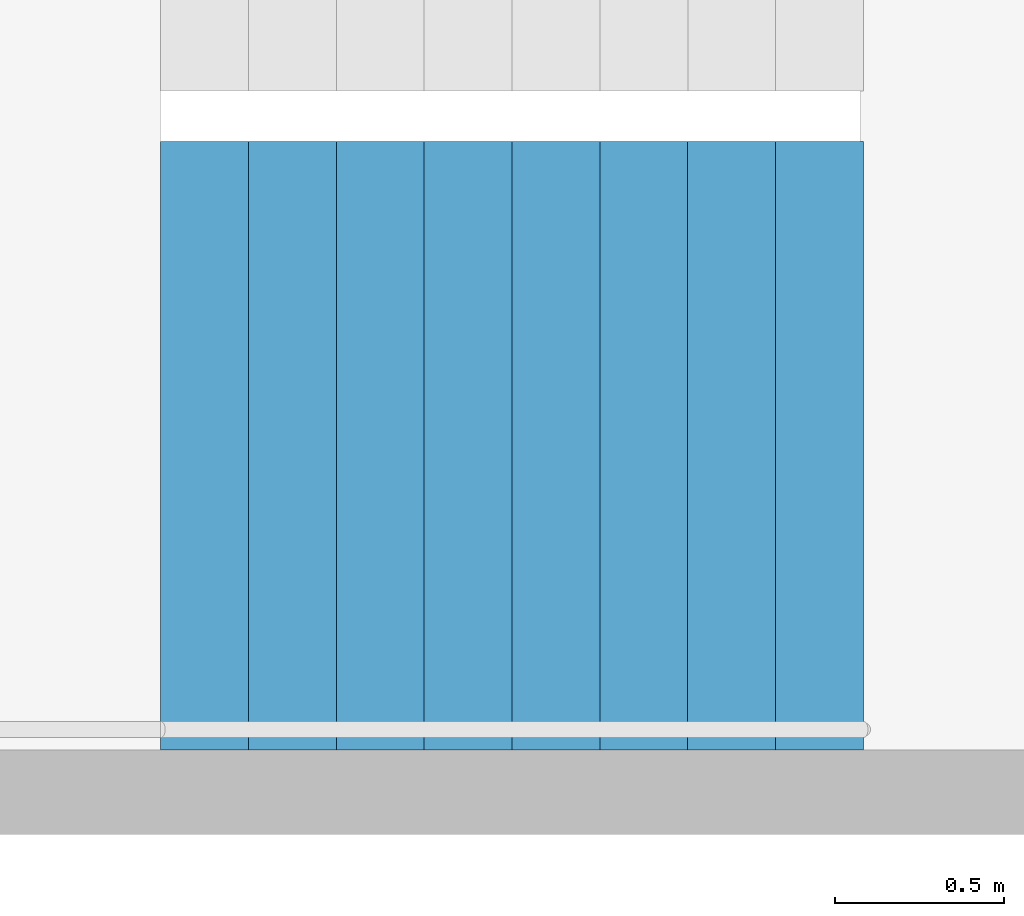
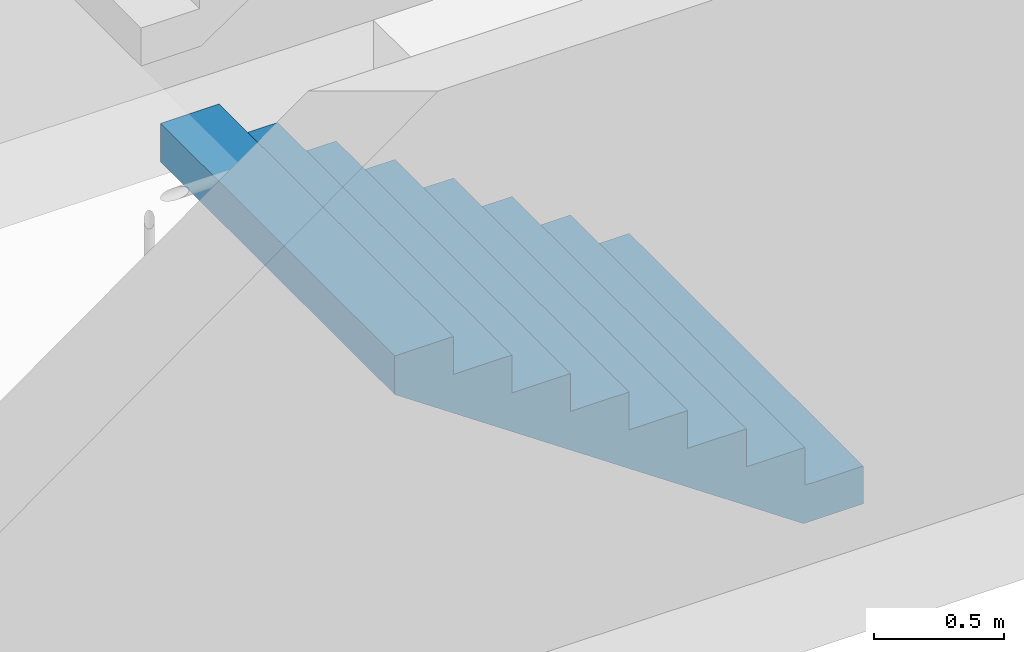
# One storey, part 26 of 35: 1 stair flight, 1 element without a shape of its own.
"""IFC4 building model written with IfcOpenShell, lengths in metres."""

from ifc_helpers import new_model, si_unit, direction, frame, origin, place, context, subcontext, project, spatial, triangles, material, type_object, element, aggregate, save


model = new_model("IFC4")

# Units and contexts
model_context = context("Model", 3, precision=1e-05, world=origin(), true_north=direction((0.0, 1.0)))
body_context = subcontext(model_context, "Body", "Model", "MODEL_VIEW")
ifc_project = project(units=[si_unit("LENGTHUNIT", "METRE"), si_unit("AREAUNIT", "SQUARE_METRE"), si_unit("VOLUMEUNIT", "CUBIC_METRE"), si_unit("PLANEANGLEUNIT", "RADIAN"), si_unit("MASSUNIT", "GRAM", prefix="KILO")], contexts=[model_context])

# Site, building, storey
site_placement = place(None, origin())
site = spatial("IfcSite", under=ifc_project, at=site_placement, CompositionType="ELEMENT")
building_placement = place(site_placement, origin())
building = spatial("IfcBuilding", under=site, at=building_placement, Name="Hakoniwa Tower and Hamabe Station Hall", CompositionType="ELEMENT")
storey_placement = place(building_placement, frame((0.0, 0.0, 51.800048828125)))
storey = spatial("IfcBuildingStorey", under=building, at=storey_placement, Name="L14", CompositionType="ELEMENT", Elevation=51.800048828125)

# Stair, stair flight
ifc_material_1 = material(Name="Concrete C40", Category="concrete")
stair_type = type_object("IfcStairType", Name="ESCAPE STAIR 1800", PredefinedType="HALF_TURN_STAIR", material=ifc_material_1)
stair_placement = place(storey_placement, origin())
stair = element("IfcStair", 1, at=stair_placement, inside=storey, type_object=stair_type, Name="Escape stair ST-3 L14", PredefinedType="HALF_TURN_STAIR")
ifc_material_2 = material(Name="Concrete C40", Category="concrete")
stair_flight_type = type_object("IfcStairFlightType", Name="STAIR FLIGHT 1800", PredefinedType="STRAIGHT", material=ifc_material_2)
stair_flight_placement = place(storey_placement, frame((24.39990234375, 4.64990234375, 0.0), z_axis=(0.0, 0.0, 1.0), x_axis=(-1.0, 0.0, 0.0)))
stair_flight = element("IfcStairFlight", 2, at=stair_flight_placement, type_object=stair_flight_type, Name="ST-3 flight 1", NumberOfRisers=9, NumberOfTreads=8, PredefinedType="STRAIGHT", RiserHeight=0.177777778, TreadLength=0.26, context=body_context, shape_type="Tessellation", body=[
    triangles([(0.0, 0.89990234375, 0.0), (0.260009765625, 0.89990234375, 0.0), (0.265625, 0.89990234375, 0.0), (0.52001953125, 0.89990234375, 0.174072265625), (0.780029296875, 0.89990234375, 0.351806640625), (1.0400390625, 0.89990234375, 0.529541015625), (1.300048828125, 0.89990234375, 0.707275390625), (1.56005859375, 0.89990234375, 0.885009765625), (1.820068359375, 0.89990234375, 1.062744140625), (2.080078125, 0.89990234375, 1.24072265625), (2.080078125, 0.89990234375, 1.422119140625), (1.820068359375, 0.89990234375, 1.422119140625), (1.820068359375, 0.89990234375, 1.244384765625), (1.56005859375, 0.89990234375, 1.244384765625), (1.56005859375, 0.89990234375, 1.066650390625), (1.300048828125, 0.89990234375, 1.066650390625), (1.300048828125, 0.89990234375, 0.888916015625), (1.0400390625, 0.89990234375, 0.888916015625), (1.0400390625, 0.89990234375, 0.711181640625), (0.780029296875, 0.89990234375, 0.711181640625), (0.780029296875, 0.89990234375, 0.533447265625), (0.52001953125, 0.89990234375, 0.533447265625), (0.52001953125, 0.89990234375, 0.35546875), (0.265625, 0.89990234375, 0.35546875), (0.260009765625, 0.89990234375, 0.35546875), (0.260009765625, 0.89990234375, 0.177734375), (0.0, 0.89990234375, 0.177734375), (0.0, 0.06005859375, 0.0), (0.260009765625, 0.06005859375, 0.0), (0.265625, 0.06005859375, 0.0), (0.52001953125, 0.06005859375, 0.174072265625), (0.780029296875, 0.06005859375, 0.351806640625), (1.0400390625, 0.06005859375, 0.529541015625), (1.300048828125, 0.06005859375, 0.707275390625), (1.56005859375, 0.06005859375, 0.885009765625), (1.820068359375, 0.06005859375, 1.062744140625), (2.080078125, 0.06005859375, 1.24072265625), (2.080078125, 0.06005859375, 1.422119140625), (1.820068359375, 0.06005859375, 1.422119140625), (1.820068359375, 0.06005859375, 1.244384765625), (1.56005859375, 0.06005859375, 1.244384765625), (1.56005859375, 0.06005859375, 1.066650390625), (1.300048828125, 0.06005859375, 1.066650390625), (1.300048828125, 0.06005859375, 0.888916015625), (1.0400390625, 0.06005859375, 0.888916015625), (1.0400390625, 0.06005859375, 0.711181640625), (0.780029296875, 0.06005859375, 0.711181640625), (0.780029296875, 0.06005859375, 0.533447265625), (0.52001953125, 0.06005859375, 0.533447265625), (0.52001953125, 0.06005859375, 0.35546875), (0.265625, 0.06005859375, 0.35546875), (0.260009765625, 0.06005859375, 0.35546875), (0.260009765625, 0.06005859375, 0.177734375), (0.0, 0.06005859375, 0.177734375), (0.0, 0.04296875, 0.0), (0.260009765625, 0.04296875, 0.0), (0.265625, 0.04296875, 0.0), (0.52001953125, 0.04296875, 0.174072265625), (0.780029296875, 0.04296875, 0.351806640625), (1.0400390625, 0.04296875, 0.529541015625), (1.300048828125, 0.04296875, 0.707275390625), (1.56005859375, 0.04296875, 0.885009765625), (1.820068359375, 0.04296875, 1.062744140625), (2.080078125, 0.04296875, 1.24072265625), (2.080078125, 0.04296875, 1.422119140625), (1.820068359375, 0.04296875, 1.422119140625), (1.820068359375, 0.04296875, 1.244384765625), (1.56005859375, 0.04296875, 1.244384765625), (1.56005859375, 0.04296875, 1.066650390625), (1.300048828125, 0.04296875, 1.066650390625), (1.300048828125, 0.04296875, 0.888916015625), (1.0400390625, 0.04296875, 0.888916015625), (1.0400390625, 0.04296875, 0.711181640625), (0.780029296875, 0.04296875, 0.711181640625), (0.780029296875, 0.04296875, 0.533447265625), (0.52001953125, 0.04296875, 0.533447265625), (0.52001953125, 0.04296875, 0.35546875), (0.265625, 0.04296875, 0.35546875), (0.260009765625, 0.04296875, 0.35546875), (0.260009765625, 0.04296875, 0.177734375), (0.0, 0.04296875, 0.177734375), (0.0, 0.025634765625, 0.0), (0.260009765625, 0.025634765625, 0.0), (0.265625, 0.025634765625, 0.0), (0.52001953125, 0.025634765625, 0.174072265625), (0.780029296875, 0.025634765625, 0.351806640625), (1.0400390625, 0.025634765625, 0.529541015625), (1.300048828125, 0.025634765625, 0.707275390625), (1.56005859375, 0.025634765625, 0.885009765625), (1.820068359375, 0.025634765625, 1.062744140625), (2.080078125, 0.025634765625, 1.24072265625), (2.080078125, 0.025634765625, 1.422119140625), (1.820068359375, 0.025634765625, 1.422119140625), (1.820068359375, 0.025634765625, 1.244384765625), (1.56005859375, 0.025634765625, 1.244384765625), (1.56005859375, 0.025634765625, 1.066650390625), (1.300048828125, 0.025634765625, 1.066650390625), (1.300048828125, 0.025634765625, 0.888916015625), (1.0400390625, 0.025634765625, 0.888916015625), (1.0400390625, 0.025634765625, 0.711181640625), (0.780029296875, 0.025634765625, 0.711181640625), (0.780029296875, 0.025634765625, 0.533447265625), (0.52001953125, 0.025634765625, 0.533447265625), (0.52001953125, 0.025634765625, 0.35546875), (0.265625, 0.025634765625, 0.35546875), (0.260009765625, 0.025634765625, 0.35546875), (0.260009765625, 0.025634765625, 0.177734375), (0.0, 0.025634765625, 0.177734375), (0.0, 0.008544921875, 0.0), (0.260009765625, 0.008544921875, 0.0), (0.265625, 0.008544921875, 0.0), (0.52001953125, 0.008544921875, 0.174072265625), (0.780029296875, 0.008544921875, 0.351806640625), (1.0400390625, 0.008544921875, 0.529541015625), (1.300048828125, 0.008544921875, 0.707275390625), (1.56005859375, 0.008544921875, 0.885009765625), (1.820068359375, 0.008544921875, 1.062744140625), (2.080078125, 0.008544921875, 1.24072265625), (2.080078125, 0.008544921875, 1.422119140625), (1.820068359375, 0.008544921875, 1.422119140625), (1.820068359375, 0.008544921875, 1.244384765625), (1.56005859375, 0.008544921875, 1.244384765625), (1.56005859375, 0.008544921875, 1.066650390625), (1.300048828125, 0.008544921875, 1.066650390625), (1.300048828125, 0.008544921875, 0.888916015625), (1.0400390625, 0.008544921875, 0.888916015625), (1.0400390625, 0.008544921875, 0.711181640625), (0.780029296875, 0.008544921875, 0.711181640625), (0.780029296875, 0.008544921875, 0.533447265625), (0.52001953125, 0.008544921875, 0.533447265625), (0.52001953125, 0.008544921875, 0.35546875), (0.265625, 0.008544921875, 0.35546875), (0.260009765625, 0.008544921875, 0.35546875), (0.260009765625, 0.008544921875, 0.177734375), (0.0, 0.008544921875, 0.177734375), (0.0, -0.008544921875, 0.0), (0.260009765625, -0.008544921875, 0.0), (0.265625, -0.008544921875, 0.0), (0.52001953125, -0.008544921875, 0.174072265625), (0.780029296875, -0.008544921875, 0.351806640625), (1.0400390625, -0.008544921875, 0.529541015625), (1.300048828125, -0.008544921875, 0.707275390625), (1.56005859375, -0.008544921875, 0.885009765625), (1.820068359375, -0.008544921875, 1.062744140625), (2.080078125, -0.008544921875, 1.24072265625), (2.080078125, -0.008544921875, 1.422119140625), (1.820068359375, -0.008544921875, 1.422119140625), (1.820068359375, -0.008544921875, 1.244384765625), (1.56005859375, -0.008544921875, 1.244384765625), (1.56005859375, -0.008544921875, 1.066650390625), (1.300048828125, -0.008544921875, 1.066650390625), (1.300048828125, -0.008544921875, 0.888916015625), (1.0400390625, -0.008544921875, 0.888916015625), (1.0400390625, -0.008544921875, 0.711181640625), (0.780029296875, -0.008544921875, 0.711181640625), (0.780029296875, -0.008544921875, 0.533447265625), (0.52001953125, -0.008544921875, 0.533447265625), (0.52001953125, -0.008544921875, 0.35546875), (0.265625, -0.008544921875, 0.35546875), (0.260009765625, -0.008544921875, 0.35546875), (0.260009765625, -0.008544921875, 0.177734375), (0.0, -0.008544921875, 0.177734375), (0.0, -0.025634765625, 0.0), (0.260009765625, -0.025634765625, 0.0), (0.265625, -0.025634765625, 0.0), (0.52001953125, -0.025634765625, 0.174072265625), (0.780029296875, -0.025634765625, 0.351806640625), (1.0400390625, -0.025634765625, 0.529541015625), (1.300048828125, -0.025634765625, 0.707275390625), (1.56005859375, -0.025634765625, 0.885009765625), (1.820068359375, -0.025634765625, 1.062744140625), (2.080078125, -0.025634765625, 1.24072265625), (2.080078125, -0.025634765625, 1.422119140625), (1.820068359375, -0.025634765625, 1.422119140625), (1.820068359375, -0.025634765625, 1.244384765625), (1.56005859375, -0.025634765625, 1.244384765625), (1.56005859375, -0.025634765625, 1.066650390625), (1.300048828125, -0.025634765625, 1.066650390625), (1.300048828125, -0.025634765625, 0.888916015625), (1.0400390625, -0.025634765625, 0.888916015625), (1.0400390625, -0.025634765625, 0.711181640625), (0.780029296875, -0.025634765625, 0.711181640625), (0.780029296875, -0.025634765625, 0.533447265625), (0.52001953125, -0.025634765625, 0.533447265625), (0.52001953125, -0.025634765625, 0.35546875), (0.265625, -0.025634765625, 0.35546875), (0.260009765625, -0.025634765625, 0.35546875), (0.260009765625, -0.025634765625, 0.177734375), (0.0, -0.025634765625, 0.177734375), (0.0, -0.04296875, 0.0), (0.260009765625, -0.04296875, 0.0), (0.265625, -0.04296875, 0.0), (0.52001953125, -0.04296875, 0.174072265625), (0.780029296875, -0.04296875, 0.351806640625), (1.0400390625, -0.04296875, 0.529541015625), (1.300048828125, -0.04296875, 0.707275390625), (1.56005859375, -0.04296875, 0.885009765625), (1.820068359375, -0.04296875, 1.062744140625), (2.080078125, -0.04296875, 1.24072265625), (2.080078125, -0.04296875, 1.422119140625), (1.820068359375, -0.04296875, 1.422119140625), (1.820068359375, -0.04296875, 1.244384765625), (1.56005859375, -0.04296875, 1.244384765625), (1.56005859375, -0.04296875, 1.066650390625), (1.300048828125, -0.04296875, 1.066650390625), (1.300048828125, -0.04296875, 0.888916015625), (1.0400390625, -0.04296875, 0.888916015625), (1.0400390625, -0.04296875, 0.711181640625), (0.780029296875, -0.04296875, 0.711181640625), (0.780029296875, -0.04296875, 0.533447265625), (0.52001953125, -0.04296875, 0.533447265625), (0.52001953125, -0.04296875, 0.35546875), (0.265625, -0.04296875, 0.35546875), (0.260009765625, -0.04296875, 0.35546875), (0.260009765625, -0.04296875, 0.177734375), (0.0, -0.04296875, 0.177734375), (0.0, -0.06005859375, 0.0), (0.260009765625, -0.06005859375, 0.0), (0.265625, -0.06005859375, 0.0), (0.52001953125, -0.06005859375, 0.174072265625), (0.780029296875, -0.06005859375, 0.351806640625), (1.0400390625, -0.06005859375, 0.529541015625), (1.300048828125, -0.06005859375, 0.707275390625), (1.56005859375, -0.06005859375, 0.885009765625), (1.820068359375, -0.06005859375, 1.062744140625), (2.080078125, -0.06005859375, 1.24072265625), (2.080078125, -0.06005859375, 1.422119140625), (1.820068359375, -0.06005859375, 1.422119140625), (1.820068359375, -0.06005859375, 1.244384765625), (1.56005859375, -0.06005859375, 1.244384765625), (1.56005859375, -0.06005859375, 1.066650390625), (1.300048828125, -0.06005859375, 1.066650390625), (1.300048828125, -0.06005859375, 0.888916015625), (1.0400390625, -0.06005859375, 0.888916015625), (1.0400390625, -0.06005859375, 0.711181640625), (0.780029296875, -0.06005859375, 0.711181640625), (0.780029296875, -0.06005859375, 0.533447265625), (0.52001953125, -0.06005859375, 0.533447265625), (0.52001953125, -0.06005859375, 0.35546875), (0.265625, -0.06005859375, 0.35546875), (0.260009765625, -0.06005859375, 0.35546875), (0.260009765625, -0.06005859375, 0.177734375), (0.0, -0.06005859375, 0.177734375), (0.0, -0.89990234375, 0.0), (0.260009765625, -0.89990234375, 0.0), (0.265625, -0.89990234375, 0.0), (0.52001953125, -0.89990234375, 0.174072265625), (0.780029296875, -0.89990234375, 0.351806640625), (1.0400390625, -0.89990234375, 0.529541015625), (1.300048828125, -0.89990234375, 0.707275390625), (1.56005859375, -0.89990234375, 0.885009765625), (1.820068359375, -0.89990234375, 1.062744140625), (2.080078125, -0.89990234375, 1.24072265625), (2.080078125, -0.89990234375, 1.422119140625), (1.820068359375, -0.89990234375, 1.422119140625), (1.820068359375, -0.89990234375, 1.244384765625), (1.56005859375, -0.89990234375, 1.244384765625), (1.56005859375, -0.89990234375, 1.066650390625), (1.300048828125, -0.89990234375, 1.066650390625), (1.300048828125, -0.89990234375, 0.888916015625), (1.0400390625, -0.89990234375, 0.888916015625), (1.0400390625, -0.89990234375, 0.711181640625), (0.780029296875, -0.89990234375, 0.711181640625), (0.780029296875, -0.89990234375, 0.533447265625), (0.52001953125, -0.89990234375, 0.533447265625), (0.52001953125, -0.89990234375, 0.35546875), (0.265625, -0.89990234375, 0.35546875), (0.260009765625, -0.89990234375, 0.35546875), (0.260009765625, -0.89990234375, 0.177734375), (0.0, -0.89990234375, 0.177734375)], [[2, 27, 26], [245, 269, 270], [2, 1, 27], [245, 270, 244], [3, 25, 24], [246, 267, 268], [3, 26, 25], [246, 268, 269], [3, 2, 26], [246, 269, 245], [4, 24, 23], [247, 266, 267], [4, 3, 24], [247, 267, 246], [5, 22, 21], [248, 264, 265], [5, 23, 22], [248, 265, 266], [5, 4, 23], [248, 266, 247], [6, 20, 19], [249, 262, 263], [6, 21, 20], [249, 263, 264], [6, 5, 21], [249, 264, 248], [7, 18, 17], [250, 260, 261], [7, 19, 18], [250, 261, 262], [7, 6, 19], [250, 262, 249], [8, 16, 15], [251, 258, 259], [8, 17, 16], [251, 259, 260], [8, 7, 17], [251, 260, 250], [9, 14, 13], [252, 256, 257], [9, 15, 14], [252, 257, 258], [9, 8, 15], [252, 258, 251], [10, 12, 11], [253, 254, 255], [10, 13, 12], [253, 255, 256], [10, 9, 13], [253, 256, 252], [1, 2, 29], [1, 29, 28], [28, 29, 56], [28, 56, 55], [55, 56, 83], [55, 83, 82], [82, 83, 110], [82, 110, 109], [109, 110, 137], [109, 137, 136], [136, 137, 164], [136, 164, 163], [163, 164, 191], [163, 191, 190], [190, 191, 218], [190, 218, 217], [217, 218, 245], [217, 245, 244], [2, 3, 30], [2, 30, 29], [29, 30, 57], [29, 57, 56], [56, 57, 84], [56, 84, 83], [83, 84, 111], [83, 111, 110], [110, 111, 138], [110, 138, 137], [137, 138, 165], [137, 165, 164], [164, 165, 192], [164, 192, 191], [191, 192, 219], [191, 219, 218], [218, 219, 246], [218, 246, 245], [3, 4, 31], [3, 31, 30], [30, 31, 58], [30, 58, 57], [57, 58, 85], [57, 85, 84], [84, 85, 112], [84, 112, 111], [111, 112, 139], [111, 139, 138], [138, 139, 166], [138, 166, 165], [165, 166, 193], [165, 193, 192], [192, 193, 220], [192, 220, 219], [219, 220, 247], [219, 247, 246], [4, 5, 32], [4, 32, 31], [31, 32, 59], [31, 59, 58], [58, 59, 86], [58, 86, 85], [85, 86, 113], [85, 113, 112], [112, 113, 140], [112, 140, 139], [139, 140, 167], [139, 167, 166], [166, 167, 194], [166, 194, 193], [193, 194, 221], [193, 221, 220], [220, 221, 248], [220, 248, 247], [5, 6, 33], [5, 33, 32], [32, 33, 60], [32, 60, 59], [59, 60, 87], [59, 87, 86], [86, 87, 114], [86, 114, 113], [113, 114, 141], [113, 141, 140], [140, 141, 168], [140, 168, 167], [167, 168, 195], [167, 195, 194], [194, 195, 222], [194, 222, 221], [221, 222, 249], [221, 249, 248], [6, 7, 34], [6, 34, 33], [33, 34, 61], [33, 61, 60], [60, 61, 88], [60, 88, 87], [87, 88, 115], [87, 115, 114], [114, 115, 142], [114, 142, 141], [141, 142, 169], [141, 169, 168], [168, 169, 196], [168, 196, 195], [195, 196, 223], [195, 223, 222], [222, 223, 250], [222, 250, 249], [7, 8, 35], [7, 35, 34], [34, 35, 62], [34, 62, 61], [61, 62, 89], [61, 89, 88], [88, 89, 116], [88, 116, 115], [115, 116, 143], [115, 143, 142], [142, 143, 170], [142, 170, 169], [169, 170, 197], [169, 197, 196], [196, 197, 224], [196, 224, 223], [223, 224, 251], [223, 251, 250], [8, 9, 36], [8, 36, 35], [35, 36, 63], [35, 63, 62], [62, 63, 90], [62, 90, 89], [89, 90, 117], [89, 117, 116], [116, 117, 144], [116, 144, 143], [143, 144, 171], [143, 171, 170], [170, 171, 198], [170, 198, 197], [197, 198, 225], [197, 225, 224], [224, 225, 252], [224, 252, 251], [9, 10, 37], [9, 37, 36], [36, 37, 64], [36, 64, 63], [63, 64, 91], [63, 91, 90], [90, 91, 118], [90, 118, 117], [117, 118, 145], [117, 145, 144], [144, 145, 172], [144, 172, 171], [171, 172, 199], [171, 199, 198], [198, 199, 226], [198, 226, 225], [225, 226, 253], [225, 253, 252], [10, 11, 38], [10, 38, 37], [37, 38, 65], [37, 65, 64], [64, 65, 92], [64, 92, 91], [91, 92, 119], [91, 119, 118], [118, 119, 146], [118, 146, 145], [145, 146, 173], [145, 173, 172], [172, 173, 200], [172, 200, 199], [199, 200, 227], [199, 227, 226], [226, 227, 254], [226, 254, 253], [11, 12, 39], [11, 39, 38], [38, 39, 66], [38, 66, 65], [65, 66, 93], [65, 93, 92], [92, 93, 120], [92, 120, 119], [119, 120, 147], [119, 147, 146], [146, 147, 174], [146, 174, 173], [173, 174, 201], [173, 201, 200], [200, 201, 228], [200, 228, 227], [227, 228, 255], [227, 255, 254], [12, 13, 40], [12, 40, 39], [39, 40, 67], [39, 67, 66], [66, 67, 94], [66, 94, 93], [93, 94, 121], [93, 121, 120], [120, 121, 148], [120, 148, 147], [147, 148, 175], [147, 175, 174], [174, 175, 202], [174, 202, 201], [201, 202, 229], [201, 229, 228], [228, 229, 256], [228, 256, 255], [13, 14, 41], [13, 41, 40], [40, 41, 68], [40, 68, 67], [67, 68, 95], [67, 95, 94], [94, 95, 122], [94, 122, 121], [121, 122, 149], [121, 149, 148], [148, 149, 176], [148, 176, 175], [175, 176, 203], [175, 203, 202], [202, 203, 230], [202, 230, 229], [229, 230, 257], [229, 257, 256], [14, 15, 42], [14, 42, 41], [41, 42, 69], [41, 69, 68], [68, 69, 96], [68, 96, 95], [95, 96, 123], [95, 123, 122], [122, 123, 150], [122, 150, 149], [149, 150, 177], [149, 177, 176], [176, 177, 204], [176, 204, 203], [203, 204, 231], [203, 231, 230], [230, 231, 258], [230, 258, 257], [15, 16, 43], [15, 43, 42], [42, 43, 70], [42, 70, 69], [69, 70, 97], [69, 97, 96], [96, 97, 124], [96, 124, 123], [123, 124, 151], [123, 151, 150], [150, 151, 178], [150, 178, 177], [177, 178, 205], [177, 205, 204], [204, 205, 232], [204, 232, 231], [231, 232, 259], [231, 259, 258], [16, 17, 44], [16, 44, 43], [43, 44, 71], [43, 71, 70], [70, 71, 98], [70, 98, 97], [97, 98, 125], [97, 125, 124], [124, 125, 152], [124, 152, 151], [151, 152, 179], [151, 179, 178], [178, 179, 206], [178, 206, 205], [205, 206, 233], [205, 233, 232], [232, 233, 260], [232, 260, 259], [17, 18, 45], [17, 45, 44], [44, 45, 72], [44, 72, 71], [71, 72, 99], [71, 99, 98], [98, 99, 126], [98, 126, 125], [125, 126, 153], [125, 153, 152], [152, 153, 180], [152, 180, 179], [179, 180, 207], [179, 207, 206], [206, 207, 234], [206, 234, 233], [233, 234, 261], [233, 261, 260], [18, 19, 46], [18, 46, 45], [45, 46, 73], [45, 73, 72], [72, 73, 100], [72, 100, 99], [99, 100, 127], [99, 127, 126], [126, 127, 154], [126, 154, 153], [153, 154, 181], [153, 181, 180], [180, 181, 208], [180, 208, 207], [207, 208, 235], [207, 235, 234], [234, 235, 262], [234, 262, 261], [19, 20, 47], [19, 47, 46], [46, 47, 74], [46, 74, 73], [73, 74, 101], [73, 101, 100], [100, 101, 128], [100, 128, 127], [127, 128, 155], [127, 155, 154], [154, 155, 182], [154, 182, 181], [181, 182, 209], [181, 209, 208], [208, 209, 236], [208, 236, 235], [235, 236, 263], [235, 263, 262], [20, 21, 48], [20, 48, 47], [47, 48, 75], [47, 75, 74], [74, 75, 102], [74, 102, 101], [101, 102, 129], [101, 129, 128], [128, 129, 156], [128, 156, 155], [155, 156, 183], [155, 183, 182], [182, 183, 210], [182, 210, 209], [209, 210, 237], [209, 237, 236], [236, 237, 264], [236, 264, 263], [21, 22, 49], [21, 49, 48], [48, 49, 76], [48, 76, 75], [75, 76, 103], [75, 103, 102], [102, 103, 130], [102, 130, 129], [129, 130, 157], [129, 157, 156], [156, 157, 184], [156, 184, 183], [183, 184, 211], [183, 211, 210], [210, 211, 238], [210, 238, 237], [237, 238, 265], [237, 265, 264], [22, 23, 50], [22, 50, 49], [49, 50, 77], [49, 77, 76], [76, 77, 104], [76, 104, 103], [103, 104, 131], [103, 131, 130], [130, 131, 158], [130, 158, 157], [157, 158, 185], [157, 185, 184], [184, 185, 212], [184, 212, 211], [211, 212, 239], [211, 239, 238], [238, 239, 266], [238, 266, 265], [23, 24, 51], [23, 51, 50], [50, 51, 78], [50, 78, 77], [77, 78, 105], [77, 105, 104], [104, 105, 132], [104, 132, 131], [131, 132, 159], [131, 159, 158], [158, 159, 186], [158, 186, 185], [185, 186, 213], [185, 213, 212], [212, 213, 240], [212, 240, 239], [239, 240, 267], [239, 267, 266], [24, 25, 52], [24, 52, 51], [51, 52, 79], [51, 79, 78], [78, 79, 106], [78, 106, 105], [105, 106, 133], [105, 133, 132], [132, 133, 160], [132, 160, 159], [159, 160, 187], [159, 187, 186], [186, 187, 214], [186, 214, 213], [213, 214, 241], [213, 241, 240], [240, 241, 268], [240, 268, 267], [25, 26, 53], [25, 53, 52], [52, 53, 80], [52, 80, 79], [79, 80, 107], [79, 107, 106], [106, 107, 134], [106, 134, 133], [133, 134, 161], [133, 161, 160], [160, 161, 188], [160, 188, 187], [187, 188, 215], [187, 215, 214], [214, 215, 242], [214, 242, 241], [241, 242, 269], [241, 269, 268], [26, 27, 54], [26, 54, 53], [53, 54, 81], [53, 81, 80], [80, 81, 108], [80, 108, 107], [107, 108, 135], [107, 135, 134], [134, 135, 162], [134, 162, 161], [161, 162, 189], [161, 189, 188], [188, 189, 216], [188, 216, 215], [215, 216, 243], [215, 243, 242], [242, 243, 270], [242, 270, 269], [27, 1, 28], [27, 28, 54], [54, 28, 55], [54, 55, 81], [81, 55, 82], [81, 82, 108], [108, 82, 109], [108, 109, 135], [135, 109, 136], [135, 136, 162], [162, 136, 163], [162, 163, 189], [189, 163, 190], [189, 190, 216], [216, 190, 217], [216, 217, 243], [243, 217, 244], [243, 244, 270]], closed=True),
])
aggregate(stair, [stair_flight])

save(model, "model.ifc")
